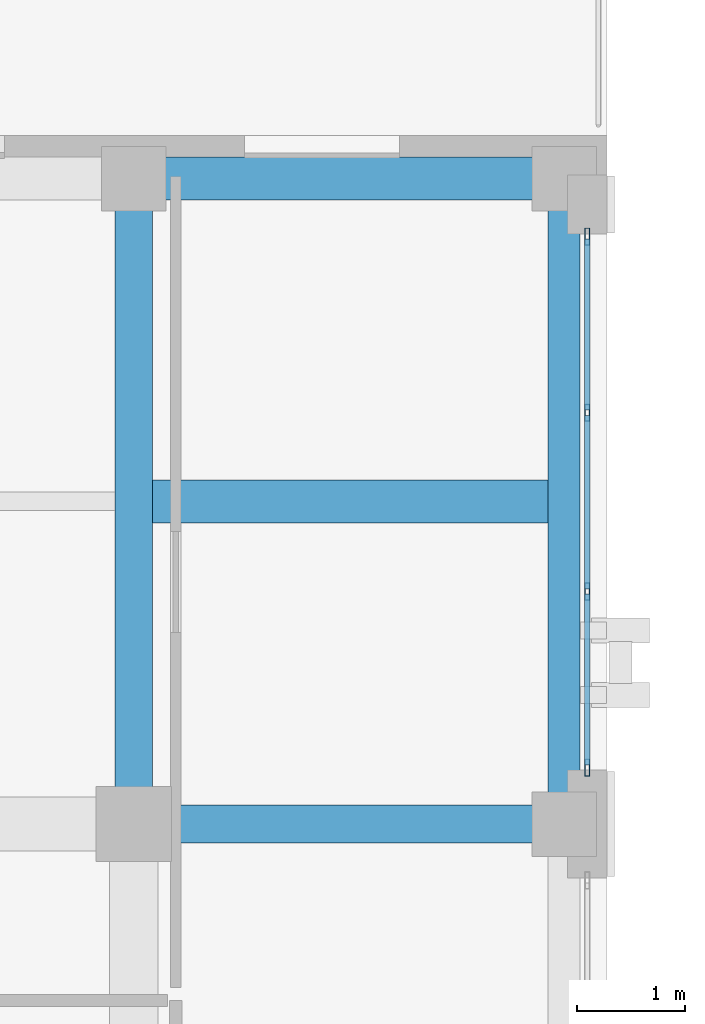
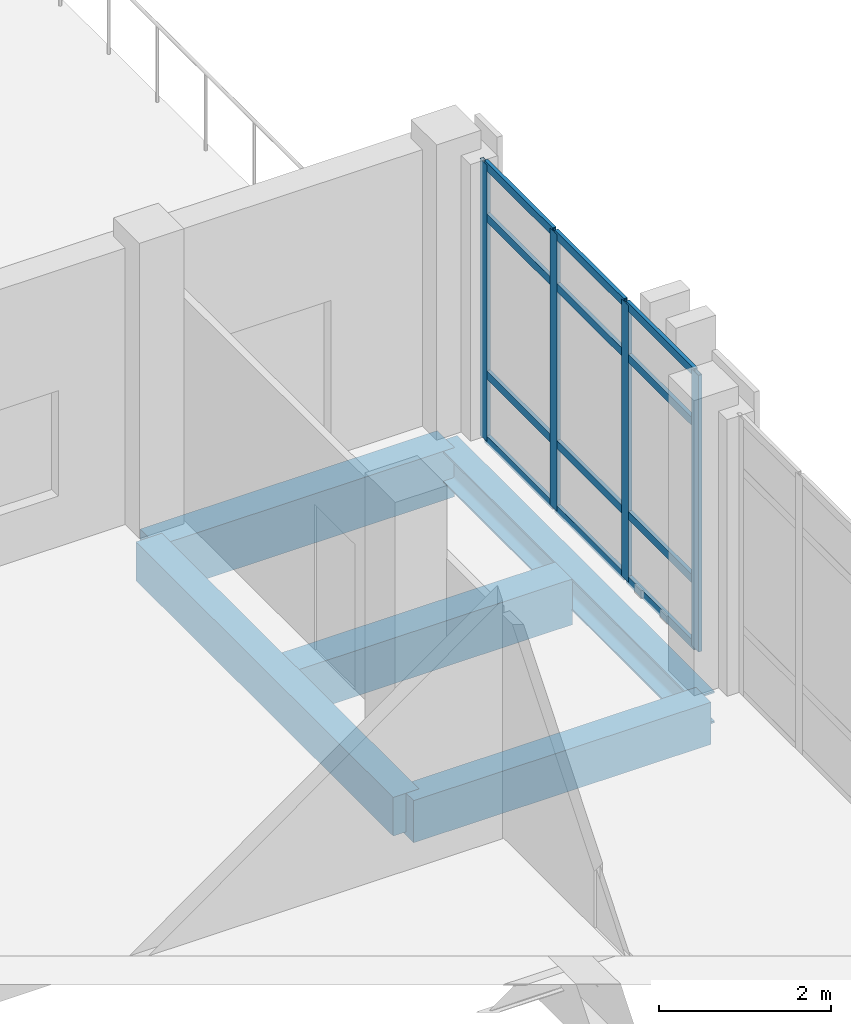
# One storey, part 18 of 77: 16 members, 5 beams, 1 element without a shape of its own.
"""IFC4 building model written with IfcOpenShell, lengths in metres."""

from ifc_helpers import new_model, si_unit, direction, frame, origin, origin_2d, place, context, subcontext, project, spatial, rectangle, hollow_rectangle, i_section, extrude, material, layer, layer_set, material_profile, profile_set, type_object, element, aggregate, save


model = new_model("IFC4")

# Units and contexts
model_context = context("Model", 3, precision=1e-05, world=origin(), true_north=direction((0.0, 1.0)))
body_context = subcontext(model_context, "Body", "Model", "MODEL_VIEW")
ifc_project = project(units=[si_unit("LENGTHUNIT", "METRE"), si_unit("AREAUNIT", "SQUARE_METRE"), si_unit("VOLUMEUNIT", "CUBIC_METRE"), si_unit("PLANEANGLEUNIT", "RADIAN"), si_unit("MASSUNIT", "GRAM", prefix="KILO")], contexts=[model_context])

# Site, building, storey
site_placement = place(None, origin())
site = spatial("IfcSite", under=ifc_project, at=site_placement, CompositionType="ELEMENT")
building_placement = place(site_placement, origin())
building = spatial("IfcBuilding", under=site, at=building_placement, Name="Qalavern Law Courts", CompositionType="ELEMENT")
storey_placement = place(building_placement, frame((0.0, 0.0, 27.0)))
storey = spatial("IfcBuildingStorey", under=building, at=storey_placement, Name="L06", CompositionType="ELEMENT", Elevation=27.0)

# Curtain wall, members
ifc_material_1 = material(Name="Anodised aluminium and insulated glazing", Category="aluminium")
ifc_layer = layer(ifc_material_1, 0.159912109375)
ifc_layer_set = layer_set([ifc_layer], Name="Anodised aluminium and insulated glazing")
curtain_wall_type = type_object("IfcCurtainWallType", Name="ENV-CW-CHAMB", PredefinedType="USERDEFINED", material=ifc_layer_set)
curtain_wall_placement = place(storey_placement, origin())
curtain_wall = element("IfcCurtainWall", 1, at=curtain_wall_placement, inside=storey, type_object=curtain_wall_type, Name="V3 unitised curtain wall L06 east 5", ObjectType="UNITISED CURTAIN WALL", PredefinedType="USERDEFINED")
ifc_material_2 = material(Name="Anodised aluminium", Category="aluminium")
ifc_material_profile_1 = material_profile(ifc_material_2, hollow_rectangle(XDim=0.048095703125, YDim=0.159912109375, WallThickness=0.00390625, at=origin_2d()), Name="ALU MULLION 48x160")
ifc_profile_set_1 = profile_set([ifc_material_profile_1], Name="Anodised aluminium")
member_type_1 = type_object("IfcMemberType", Name="ENV-CWM-48x160", PredefinedType="MULLION", material=ifc_profile_set_1)
member_1_placement = place(storey_placement, frame((18.614990234375, 73.924072265625, 0.0), z_axis=(0.0, 0.0, 1.0), x_axis=(-1.0, 0.0, 0.0)))
member_1 = element("IfcMember", 2, at=member_1_placement, type_object=member_type_1, Name="CW-04 mullion 1", PredefinedType="MULLION", context=body_context, shape_type="SweptSolid", body=[
    extrude(hollow_rectangle(XDim=0.048095703125, YDim=0.159912109375, WallThickness=0.00390625, at=origin_2d()), origin(), (0.0, 0.0, 1.0), 3.93505859375),
])
member_2_placement = place(storey_placement, frame((18.614990234375, 75.561767578125, 0.0), z_axis=(0.0, 0.0, 1.0), x_axis=(-1.0, 0.0, 0.0)))
member_2 = element("IfcMember", 3, at=member_2_placement, type_object=member_type_1, Name="CW-04 mullion 2", PredefinedType="MULLION", context=body_context, shape_type="SweptSolid", body=[
    extrude(hollow_rectangle(XDim=0.048095703125, YDim=0.159912109375, WallThickness=0.00390625, at=origin_2d()), origin(), (0.0, 0.0, 1.0), 3.93505859375),
])
member_3_placement = place(storey_placement, frame((18.614990234375, 77.223388671875, 0.0), z_axis=(0.0, 0.0, 1.0), x_axis=(-1.0, 0.0, 0.0)))
member_3 = element("IfcMember", 4, at=member_3_placement, type_object=member_type_1, Name="CW-04 mullion 3", PredefinedType="MULLION", context=body_context, shape_type="SweptSolid", body=[
    extrude(hollow_rectangle(XDim=0.048095703125, YDim=0.159912109375, WallThickness=0.00390625, at=origin_2d()), origin(), (0.0, 0.0, 1.0), 3.93505859375),
])
member_4_placement = place(storey_placement, frame((18.614990234375, 78.861083984375, 0.0), z_axis=(0.0, 0.0, 1.0), x_axis=(-1.0, 0.0, 0.0)))
member_4 = element("IfcMember", 5, at=member_4_placement, type_object=member_type_1, Name="CW-04 mullion 4", PredefinedType="MULLION", context=body_context, shape_type="SweptSolid", body=[
    extrude(hollow_rectangle(XDim=0.048095703125, YDim=0.159912109375, WallThickness=0.00390625, at=origin_2d()), origin(), (0.0, 0.0, 1.0), 3.93505859375),
])
ifc_material_profile_2 = material_profile(ifc_material_2, hollow_rectangle(XDim=0.048095703125, YDim=0.1201171875, WallThickness=0.00390625, at=origin_2d()), Name="ALU TRANSOM 48x120")
ifc_profile_set_2 = profile_set([ifc_material_profile_2], Name="Anodised aluminium")
member_type_2 = type_object("IfcMemberType", Name="ENV-CWT-48x120", PredefinedType="USERDEFINED", material=ifc_profile_set_2)
member_5_placement = place(storey_placement, frame((18.614990234375, 73.947998046875, 0.02392578125), z_axis=(0.0, 1.0, 0.0), x_axis=(-1.0, 0.0, 0.0)))
member_5 = element("IfcMember", 6, at=member_5_placement, type_object=member_type_2, Name="CW-04 transom 1.1", ObjectType="TRANSOM", PredefinedType="USERDEFINED", context=body_context, shape_type="SweptSolid", body=[
    extrude(hollow_rectangle(XDim=0.048095703125, YDim=0.1201171875, WallThickness=0.00390625, at=origin_2d()), origin(), (0.0, 0.0, 1.0), 1.589599609375),
])
member_6_placement = place(storey_placement, frame((18.614990234375, 73.947998046875, 0.949951171875), z_axis=(0.0, 1.0, 0.0), x_axis=(-1.0, 0.0, 0.0)))
member_6 = element("IfcMember", 7, at=member_6_placement, type_object=member_type_2, Name="CW-04 transom 1.2", ObjectType="TRANSOM", PredefinedType="USERDEFINED", context=body_context, shape_type="SweptSolid", body=[
    extrude(hollow_rectangle(XDim=0.048095703125, YDim=0.1201171875, WallThickness=0.00390625, at=origin_2d()), origin(), (0.0, 0.0, 1.0), 1.589599609375),
])
member_7_placement = place(storey_placement, frame((18.614990234375, 73.947998046875, 3.18505859375), z_axis=(0.0, 1.0, 0.0), x_axis=(-1.0, 0.0, 0.0)))
member_7 = element("IfcMember", 8, at=member_7_placement, type_object=member_type_2, Name="CW-04 transom 1.3", ObjectType="TRANSOM", PredefinedType="USERDEFINED", context=body_context, shape_type="SweptSolid", body=[
    extrude(hollow_rectangle(XDim=0.048095703125, YDim=0.1201171875, WallThickness=0.00390625, at=origin_2d()), origin(), (0.0, 0.0, 1.0), 1.589599609375),
])
member_8_placement = place(storey_placement, frame((18.614990234375, 73.947998046875, 3.910888671875), z_axis=(0.0, 1.0, 0.0), x_axis=(-1.0, 0.0, 0.0)))
member_8 = element("IfcMember", 9, at=member_8_placement, type_object=member_type_2, Name="CW-04 transom 1.4", ObjectType="TRANSOM", PredefinedType="USERDEFINED", context=body_context, shape_type="SweptSolid", body=[
    extrude(hollow_rectangle(XDim=0.048095703125, YDim=0.1201171875, WallThickness=0.00390625, at=origin_2d()), origin(), (0.0, 0.0, 1.0), 1.589599609375),
])
member_9_placement = place(storey_placement, frame((18.614990234375, 75.585693359375, 0.02392578125), z_axis=(0.0, 1.0, 0.0), x_axis=(-1.0, 0.0, 0.0)))
member_9 = element("IfcMember", 10, at=member_9_placement, type_object=member_type_2, Name="CW-04 transom 2.1", ObjectType="TRANSOM", PredefinedType="USERDEFINED", context=body_context, shape_type="SweptSolid", body=[
    extrude(hollow_rectangle(XDim=0.048095703125, YDim=0.1201171875, WallThickness=0.00390625, at=origin_2d()), origin(), (0.0, 0.0, 1.0), 1.613525390625),
])
member_10_placement = place(storey_placement, frame((18.614990234375, 75.585693359375, 0.949951171875), z_axis=(0.0, 1.0, 0.0), x_axis=(-1.0, 0.0, 0.0)))
member_10 = element("IfcMember", 11, at=member_10_placement, type_object=member_type_2, Name="CW-04 transom 2.2", ObjectType="TRANSOM", PredefinedType="USERDEFINED", context=body_context, shape_type="SweptSolid", body=[
    extrude(hollow_rectangle(XDim=0.048095703125, YDim=0.1201171875, WallThickness=0.00390625, at=origin_2d()), origin(), (0.0, 0.0, 1.0), 1.613525390625),
])
member_11_placement = place(storey_placement, frame((18.614990234375, 75.585693359375, 3.18505859375), z_axis=(0.0, 1.0, 0.0), x_axis=(-1.0, 0.0, 0.0)))
member_11 = element("IfcMember", 12, at=member_11_placement, type_object=member_type_2, Name="CW-04 transom 2.3", ObjectType="TRANSOM", PredefinedType="USERDEFINED", context=body_context, shape_type="SweptSolid", body=[
    extrude(hollow_rectangle(XDim=0.048095703125, YDim=0.1201171875, WallThickness=0.00390625, at=origin_2d()), origin(), (0.0, 0.0, 1.0), 1.613525390625),
])
member_12_placement = place(storey_placement, frame((18.614990234375, 75.585693359375, 3.910888671875), z_axis=(0.0, 1.0, 0.0), x_axis=(-1.0, 0.0, 0.0)))
member_12 = element("IfcMember", 13, at=member_12_placement, type_object=member_type_2, Name="CW-04 transom 2.4", ObjectType="TRANSOM", PredefinedType="USERDEFINED", context=body_context, shape_type="SweptSolid", body=[
    extrude(hollow_rectangle(XDim=0.048095703125, YDim=0.1201171875, WallThickness=0.00390625, at=origin_2d()), origin(), (0.0, 0.0, 1.0), 1.613525390625),
])
member_13_placement = place(storey_placement, frame((18.614990234375, 77.247314453125, 0.02392578125), z_axis=(0.0, 1.0, 0.0), x_axis=(-1.0, 0.0, 0.0)))
member_13 = element("IfcMember", 14, at=member_13_placement, type_object=member_type_2, Name="CW-04 transom 3.1", ObjectType="TRANSOM", PredefinedType="USERDEFINED", context=body_context, shape_type="SweptSolid", body=[
    extrude(hollow_rectangle(XDim=0.048095703125, YDim=0.1201171875, WallThickness=0.00390625, at=origin_2d()), origin(), (0.0, 0.0, 1.0), 1.589599609375),
])
member_14_placement = place(storey_placement, frame((18.614990234375, 77.247314453125, 0.949951171875), z_axis=(0.0, 1.0, 0.0), x_axis=(-1.0, 0.0, 0.0)))
member_14 = element("IfcMember", 15, at=member_14_placement, type_object=member_type_2, Name="CW-04 transom 3.2", ObjectType="TRANSOM", PredefinedType="USERDEFINED", context=body_context, shape_type="SweptSolid", body=[
    extrude(hollow_rectangle(XDim=0.048095703125, YDim=0.1201171875, WallThickness=0.00390625, at=origin_2d()), origin(), (0.0, 0.0, 1.0), 1.589599609375),
])
member_15_placement = place(storey_placement, frame((18.614990234375, 77.247314453125, 3.18505859375), z_axis=(0.0, 1.0, 0.0), x_axis=(-1.0, 0.0, 0.0)))
member_15 = element("IfcMember", 16, at=member_15_placement, type_object=member_type_2, Name="CW-04 transom 3.3", ObjectType="TRANSOM", PredefinedType="USERDEFINED", context=body_context, shape_type="SweptSolid", body=[
    extrude(hollow_rectangle(XDim=0.048095703125, YDim=0.1201171875, WallThickness=0.00390625, at=origin_2d()), origin(), (0.0, 0.0, 1.0), 1.589599609375),
])
member_16_placement = place(storey_placement, frame((18.614990234375, 77.247314453125, 3.910888671875), z_axis=(0.0, 1.0, 0.0), x_axis=(-1.0, 0.0, 0.0)))
member_16 = element("IfcMember", 17, at=member_16_placement, type_object=member_type_2, Name="CW-04 transom 3.4", ObjectType="TRANSOM", PredefinedType="USERDEFINED", context=body_context, shape_type="SweptSolid", body=[
    extrude(hollow_rectangle(XDim=0.048095703125, YDim=0.1201171875, WallThickness=0.00390625, at=origin_2d()), origin(), (0.0, 0.0, 1.0), 1.589599609375),
])
aggregate(curtain_wall, [member_1, member_2, member_3, member_4, member_5, member_6, member_7, member_8, member_9, member_10, member_11, member_12, member_13, member_14, member_15, member_16])

# Beams
ifc_material_3 = material(Name="Concrete C35/45", Category="concrete")
ifc_material_profile_3 = material_profile(ifc_material_3, rectangle(XDim=0.35009765625, YDim=0.550048828125, at=origin_2d()), Name="RC 350x550")
ifc_profile_set_3 = profile_set([ifc_material_profile_3], Name="Concrete C35/45")
beam_type_1 = type_object("IfcBeamType", Name="STR-BM-RC350x550", PredefinedType="BEAM", material=ifc_profile_set_3)
beam_1_placement = place(storey_placement, frame((14.39990234375, 73.39990234375, -0.544921875), z_axis=(0.0, 1.0, 0.0), x_axis=(-1.0, 0.0, 0.0)))
element("IfcBeam", 18, at=beam_1_placement, inside=storey, type_object=beam_type_1, Name="V3 Y-beam 2-5 L06", PredefinedType="BEAM", context=body_context, shape_type="SweptSolid", body=[
    extrude(rectangle(XDim=0.35009765625, YDim=0.550048828125, at=origin_2d()), origin(), (0.0, 0.0, 1.0), 6.0),
])
ifc_material_profile_4 = material_profile(ifc_material_3, rectangle(XDim=0.35009765625, YDim=0.60009765625, at=origin_2d()), Name="RC 350x600")
ifc_profile_set_4 = profile_set([ifc_material_profile_4], Name="Concrete C35/45")
beam_type_2 = type_object("IfcBeamType", Name="STR-BM-RC350x600", PredefinedType="BEAM", material=ifc_profile_set_4)
beam_2_placement = place(storey_placement, frame((14.39990234375, 73.39990234375, -0.570068359375), z_axis=(1.0, 0.0, 0.0), x_axis=(0.0, 1.0, 0.0)))
element("IfcBeam", 19, at=beam_2_placement, inside=storey, type_object=beam_type_2, Name="V3 X-beam 5-2 L06", PredefinedType="BEAM", context=body_context, shape_type="SweptSolid", body=[
    extrude(rectangle(XDim=0.35009765625, YDim=0.60009765625, at=origin_2d()), origin(), (0.0, 0.0, 1.0), 4.0),
])
ifc_material_profile_5 = material_profile(ifc_material_3, rectangle(XDim=0.39990234375, YDim=0.64990234375, at=origin_2d()), Name="RC 400x650")
ifc_profile_set_5 = profile_set([ifc_material_profile_5], Name="Concrete C35/45")
beam_type_3 = type_object("IfcBeamType", Name="STR-JST-RC400x650", PredefinedType="JOIST", material=ifc_profile_set_5)
beam_3_placement = place(storey_placement, frame((14.572998046875, 76.39990234375, -0.594970703125), z_axis=(1.0, 0.0, 0.0), x_axis=(0.0, 1.0, 0.0)))
element("IfcBeam", 20, at=beam_3_placement, inside=storey, type_object=beam_type_3, Name="V3 secondary joist 2.5.1 L06", PredefinedType="JOIST", context=body_context, shape_type="SweptSolid", body=[
    extrude(rectangle(XDim=0.39990234375, YDim=0.64990234375, at=origin_2d()), origin(), (0.0, 0.0, 1.0), 3.678955078125),
])
ifc_material_4 = material(Name="Steel S355", Category="steel")
ifc_material_profile_6 = material_profile(ifc_material_4, i_section(OverallWidth=0.300048828125, OverallDepth=0.449951171875, WebThickness=0.013916015625, FlangeThickness=0.02587890625, FilletRadius=0.027099609375, at=origin_2d()), Name="HEB 450")
ifc_profile_set_6 = profile_set([ifc_material_profile_6], Name="Steel S355")
beam_type_4 = type_object("IfcBeamType", Name="STR-SP-HEB450", PredefinedType="SPANDREL", material=ifc_profile_set_6)
beam_4_placement = place(storey_placement, frame((18.39990234375, 73.39990234375, -0.4951171875), z_axis=(0.0, 1.0, 0.0), x_axis=(-1.0, 0.0, 0.0)))
element("IfcBeam", 21, at=beam_4_placement, inside=storey, type_object=beam_type_4, Name="V3 Y-beam 3-5 L06", PredefinedType="SPANDREL", context=body_context, shape_type="SweptSolid", body=[
    extrude(i_section(OverallWidth=0.300048828125, OverallDepth=0.449951171875, WebThickness=0.013916015625, FlangeThickness=0.02587890625, FilletRadius=0.027099609375, at=origin_2d()), origin(), (0.0, 0.0, 1.0), 6.0),
])
ifc_material_5 = material(Name="Concrete C40/50", Category="concrete")
ifc_material_profile_7 = material_profile(ifc_material_5, rectangle(XDim=0.39990234375, YDim=0.699951171875, at=origin_2d()), Name="RC 400x700")
ifc_profile_set_7 = profile_set([ifc_material_profile_7], Name="Concrete C40/50")
beam_type_5 = type_object("IfcBeamType", Name="STR-SP-RC400x700", PredefinedType="SPANDREL", material=ifc_profile_set_7)
beam_5_placement = place(storey_placement, frame((14.39990234375, 79.39990234375, -0.6201171875), z_axis=(1.0, 0.0, 0.0), x_axis=(0.0, 1.0, 0.0)))
element("IfcBeam", 22, at=beam_5_placement, inside=storey, type_object=beam_type_5, Name="V3 X-beam 6-2 L06", PredefinedType="SPANDREL", context=body_context, shape_type="SweptSolid", body=[
    extrude(rectangle(XDim=0.39990234375, YDim=0.699951171875, at=origin_2d()), origin(), (0.0, 0.0, 1.0), 4.0),
])

save(model, "model.ifc")
